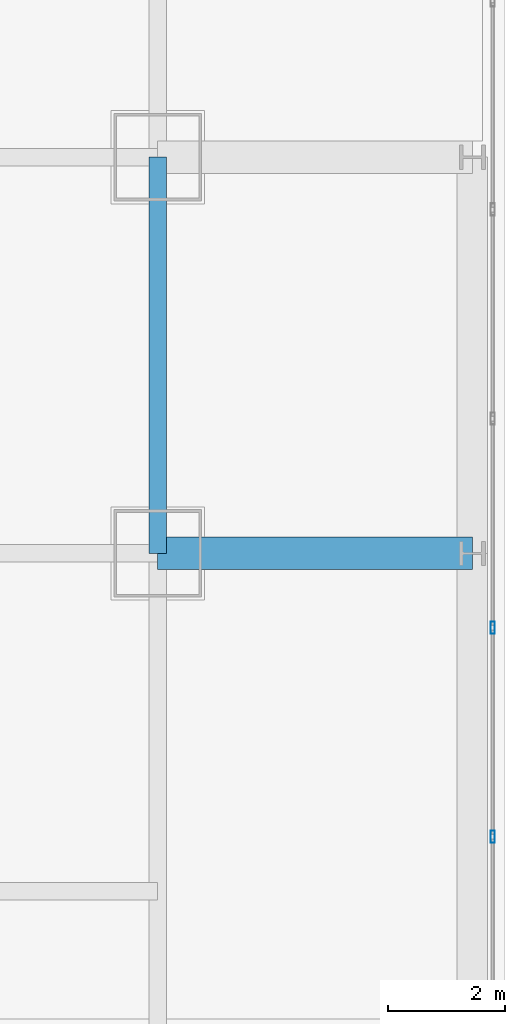
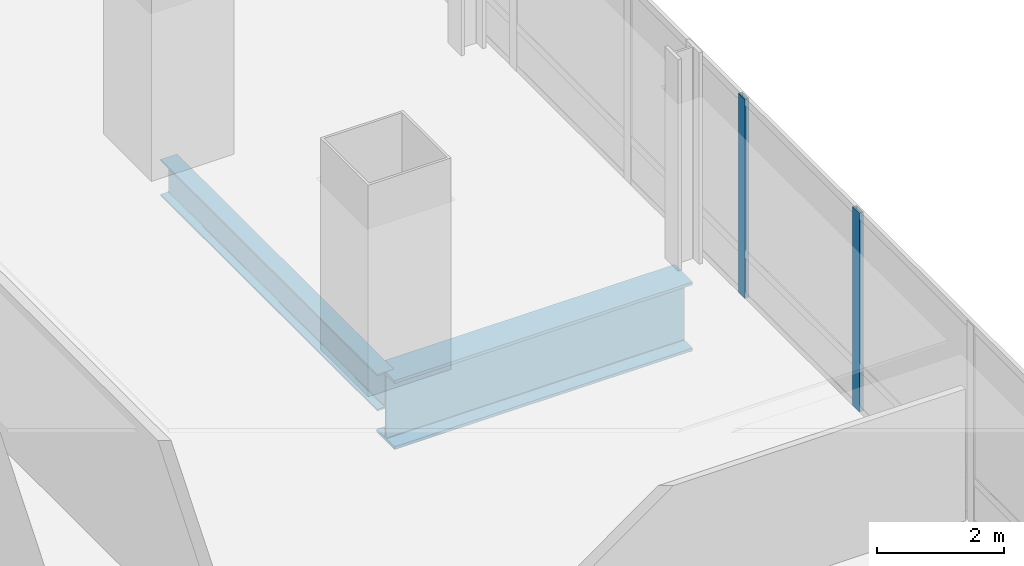
# One storey, part 15 of 34: 2 beams, 2 members, 1 element without a shape of its own.
"""IFC4 building model written with IfcOpenShell, lengths in metres."""

from ifc_helpers import new_model, si_unit, direction, frame, origin, origin_2d, place, context, subcontext, project, spatial, hollow_rectangle, i_section, extrude, material, material_profile, profile_set, type_object, element, aggregate, save


model = new_model("IFC4")

# Units and contexts
model_context = context("Model", 3, precision=1e-05, world=origin(), true_north=direction((0.0, 1.0)))
body_context = subcontext(model_context, "Body", "Model", "MODEL_VIEW")
ifc_project = project(units=[si_unit("LENGTHUNIT", "METRE"), si_unit("AREAUNIT", "SQUARE_METRE"), si_unit("VOLUMEUNIT", "CUBIC_METRE"), si_unit("PLANEANGLEUNIT", "RADIAN"), si_unit("MASSUNIT", "GRAM", prefix="KILO")], contexts=[model_context])

# Site, building, storey
site_placement = place(None, origin())
site = spatial("IfcSite", under=ifc_project, at=site_placement, CompositionType="ELEMENT")
building_placement = place(site_placement, origin())
building = spatial("IfcBuilding", under=site, at=building_placement, Name="Punatoya Terracotta Tower", CompositionType="ELEMENT")
storey_placement = place(building_placement, frame((0.0, 0.0, 117.300048828125)))
storey = spatial("IfcBuildingStorey", under=building, at=storey_placement, Name="L27", CompositionType="ELEMENT", Elevation=117.300048828125)

# Beams
ifc_material_1 = material(Name="Steel S355", Category="steel")
ifc_material_profile_1 = material_profile(ifc_material_1, i_section(OverallWidth=0.300048828125, OverallDepth=0.699951171875, WebThickness=0.01708984375, FlangeThickness=0.031982421875, FilletRadius=0.01806640625, at=origin_2d()))
ifc_profile_set_1 = profile_set([ifc_material_profile_1], Name="Steel S355")
beam_type_1 = type_object("IfcBeamType", Name="BM-PRI-700", PredefinedType="BEAM", material=ifc_profile_set_1)
beam_1_placement = place(storey_placement, frame((19.10009765625, -3.39990234375, -0.590087890625), z_axis=(0.0, 1.0, 0.0), x_axis=(-1.0, 0.0, 0.0)))
element("IfcBeam", 1, at=beam_1_placement, inside=storey, type_object=beam_type_1, Name="BM-L27-RG-E2", PredefinedType="BEAM", context=body_context, shape_type="SweptSolid", body=[
    extrude(i_section(OverallWidth=0.300048828125, OverallDepth=0.699951171875, WebThickness=0.01708984375, FlangeThickness=0.031982421875, FilletRadius=0.01806640625, at=origin_2d()), origin(), (0.0, 0.0, 1.0), 6.7998046875),
])
ifc_material_2 = material(Name="Steel S460", Category="steel")
ifc_material_profile_2 = material_profile(ifc_material_2, i_section(OverallWidth=0.56005859375, OverallDepth=1.320068359375, WebThickness=0.035888671875, FlangeThickness=0.054931640625, FilletRadius=0.01806640625, at=origin_2d()))
ifc_profile_set_2 = profile_set([ifc_material_profile_2], Name="Steel S460")
beam_type_2 = type_object("IfcBeamType", Name="BM-TG-BLK", PredefinedType="BEAM", material=ifc_profile_set_2)
beam_2_placement = place(storey_placement, frame((19.10009765625, -3.39990234375, -0.900146484375), z_axis=(1.0, 0.0, 0.0), x_axis=(0.0, 1.0, 0.0)))
element("IfcBeam", 2, at=beam_2_placement, inside=storey, type_object=beam_type_2, Name="BM-L27-CANT-E2", PredefinedType="BEAM", context=body_context, shape_type="SweptSolid", body=[
    extrude(i_section(OverallWidth=0.56005859375, OverallDepth=1.320068359375, WebThickness=0.035888671875, FlangeThickness=0.054931640625, FilletRadius=0.01806640625, at=origin_2d()), origin(), (0.0, 0.0, 1.0), 5.39990234375),
])

# Curtain wall, members
ifc_material_3 = material(Name="Aluminium 6063-T6 + Double Low-E Glass", Category="aluminium")
curtain_wall_type = type_object("IfcCurtainWallType", Name="CW-M1", PredefinedType="NOTDEFINED", material=ifc_material_3)
curtain_wall_placement = place(storey_placement, origin())
curtain_wall = element("IfcCurtainWall", 3, at=curtain_wall_placement, inside=storey, type_object=curtain_wall_type, Name="L27 Curtain Wall CW-L27-E05-1", PredefinedType="NOTDEFINED")
ifc_material_4 = material(Name="Aluminium 6063-T6", Category="aluminium")
ifc_material_profile_3 = material_profile(ifc_material_4, hollow_rectangle(XDim=0.074951171875, YDim=0.2099609375, WallThickness=0.00439453125, at=origin_2d()))
ifc_profile_set_3 = profile_set([ifc_material_profile_3], Name="Aluminium 6063-T6")
member_type = type_object("IfcMemberType", Name="CW-MUL-M1", PredefinedType="MULLION", material=ifc_profile_set_3)
member_1_placement = place(storey_placement, frame((24.85009765625, -8.261962890625, 0.0), z_axis=(0.0, 0.0, 1.0), x_axis=(1.0, 0.0, 0.0)))
member_1 = element("IfcMember", 4, at=member_1_placement, type_object=member_type, Name="CW-L27-E05-1 Mullion 02", PredefinedType="MULLION", context=body_context, shape_type="SweptSolid", body=[
    extrude(hollow_rectangle(XDim=0.074951171875, YDim=0.2099609375, WallThickness=0.00439453125, at=origin_2d()), origin(), (0.0, 0.0, 1.0), 3.81005859375),
])
member_2_placement = place(storey_placement, frame((24.85009765625, -4.674560546875, 0.0), z_axis=(0.0, 0.0, 1.0), x_axis=(1.0, 0.0, 0.0)))
member_2 = element("IfcMember", 5, at=member_2_placement, type_object=member_type, Name="CW-L27-E05-1 Mullion 03", PredefinedType="MULLION", context=body_context, shape_type="SweptSolid", body=[
    extrude(hollow_rectangle(XDim=0.074951171875, YDim=0.2099609375, WallThickness=0.00439453125, at=origin_2d()), origin(), (0.0, 0.0, 1.0), 3.81005859375),
])
aggregate(curtain_wall, [member_1, member_2])

save(model, "model.ifc")
